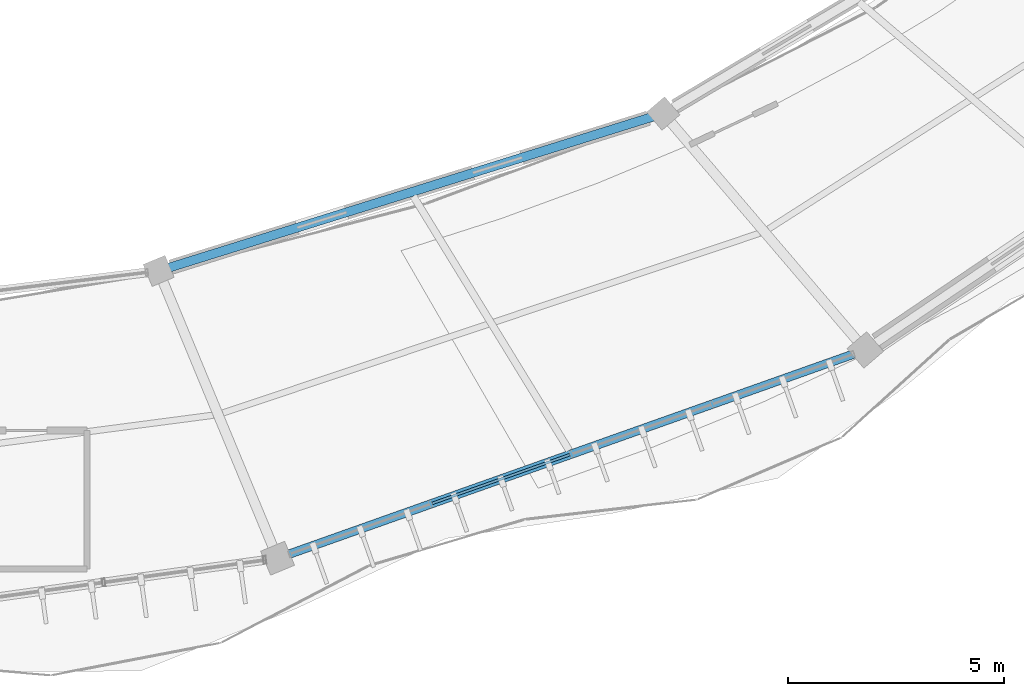
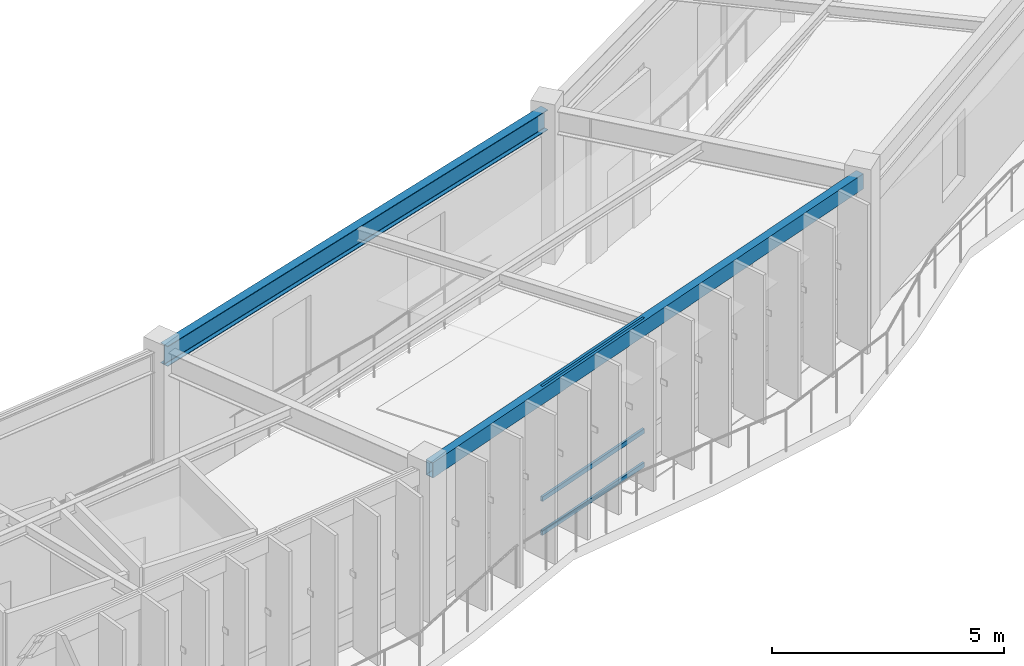
# One storey, part 33 of 83: 3 members, 2 beams, 1 element without a shape of its own.
"""IFC4 building model written with IfcOpenShell, lengths in metres."""

import ifcopenshell
import ifcopenshell.guid

model = None  # the IFC model being written
_history = None  # IfcOwnerHistory: only IFC2X3 demands one
_inside = {}  # id of a spatial element -> (the spatial element, [elements in it])
_under = {}  # id of a project, library or spatial element -> (it, [spatial elements below it])
_declared = {}  # id of a project -> (the project, [libraries it declares])
_typed = {}  # id of a type object -> (the type object, [elements of that type])
_made_of = {}  # id of a material, layer set ... -> (it, [elements and type objects made of it])


def new_model(schema):
    """Start an empty IFC model of exactly this schema.

    Asked for "IFC4X3", IfcOpenShell would pick the latest addendum, in which some entities
    have other attributes; the version numbers below select the first issue.
    IFC2X3 requires an IfcOwnerHistory on every rooted entity: one is made here for all.
    """
    global model, _history
    if schema == "IFC4X3":
        model = ifcopenshell.file(schema_version=(4, 3, 0, 0))
    else:
        model = ifcopenshell.file(schema=schema)
    _inside.clear()
    _under.clear()
    _declared.clear()
    _typed.clear()
    _made_of.clear()
    _history = None
    if model.schema == "IFC2X3":
        org = make("IfcOrganization", Name="unknown")
        user = make(
            "IfcPersonAndOrganization",
            ThePerson=make("IfcPerson", FamilyName="unknown"),
            TheOrganization=org,
        )
        app = make(
            "IfcApplication",
            ApplicationDeveloper=org,
            Version="unknown",
            ApplicationFullName="unknown",
            ApplicationIdentifier="unknown",
        )
        _history = make(
            "IfcOwnerHistory",
            OwningUser=user,
            OwningApplication=app,
            ChangeAction="ADDED",
            CreationDate=0,
        )
    return model


def make(cls, **values):
    """One entity of the class cls with the attributes given. An attribute that is None is left unset."""
    return model.create_entity(
        cls, **{name: value for name, value in values.items() if value is not None}
    )


def rooted(cls, **values):
    """An entity with a GlobalId (a new one), such as an element, a storey or a relation."""
    return make(cls, GlobalId=ifcopenshell.guid.new(), OwnerHistory=_history, **values)


def si_unit(unit_type, name, prefix=None):
    """IfcSIUnit, for example si_unit("LENGTHUNIT", "METRE", prefix="MILLI")."""
    return make("IfcSIUnit", UnitType=unit_type, Prefix=prefix, Name=name)


def assignment(units):
    """IfcUnitAssignment: the units of a project."""
    return None if units is None else make("IfcUnitAssignment", Units=units)


def point(xyz):
    """IfcCartesianPoint."""
    return None if xyz is None else make("IfcCartesianPoint", Coordinates=xyz)


def direction(xyz):
    """IfcDirection."""
    return None if xyz is None else make("IfcDirection", DirectionRatios=xyz)


def frame(location, z_axis=None, x_axis=None):
    """IfcAxis2Placement3D, a coordinate frame: its origin and axes. An axis left out is left unset."""
    return make(
        "IfcAxis2Placement3D",
        Location=point(location),
        Axis=direction(z_axis),
        RefDirection=direction(x_axis),
    )


def frame_2d(location, x_axis=None):
    """IfcAxis2Placement2D, a coordinate frame in the plane: its origin and x axis."""
    return make(
        "IfcAxis2Placement2D", Location=point(location), RefDirection=direction(x_axis)
    )


def origin():
    """The frame at (0, 0, 0) with its axes left unset."""
    return frame((0.0, 0.0, 0.0))


def origin_2d():
    """The frame at (0, 0) in the plane with its x axis left unset."""
    return frame_2d((0.0, 0.0))


def place(relative_to, where):
    """IfcLocalPlacement: puts the frame where relative to a parent placement (None: the world)."""
    return make(
        "IfcLocalPlacement", PlacementRelTo=relative_to, RelativePlacement=where
    )


def context(
    kind, dimensions, precision=None, world=None, true_north=None, identifier=None
):
    """IfcGeometricRepresentationContext, for example the 3D "Model" context."""
    return make(
        "IfcGeometricRepresentationContext",
        ContextIdentifier=identifier,
        ContextType=kind,
        CoordinateSpaceDimension=dimensions,
        Precision=precision,
        WorldCoordinateSystem=world,
        TrueNorth=true_north,
    )


def subcontext(parent, identifier, kind, view, scale=None):
    """IfcGeometricRepresentationSubContext, for example "Body" below "Model"."""
    return make(
        "IfcGeometricRepresentationSubContext",
        ContextIdentifier=identifier,
        ContextType=kind,
        ParentContext=parent,
        TargetScale=scale,
        TargetView=view,
    )


def project(units=None, contexts=None):
    """IfcProject with its units and contexts."""
    return rooted(
        "IfcProject",
        Name="project",
        RepresentationContexts=contexts,
        UnitsInContext=assignment(units),
    )


def spatial(cls, under=None, at=None, **own):
    """A site, building, storey or space (cls), placed at a placement, below another one or the project."""
    s = rooted(cls, ObjectPlacement=at, **own)
    if under is not None:
        _under.setdefault(under.id(), (under, []))[1].append(s)
    return s


def profile(cls, at=None, kind="AREA", **sizes):
    """A parametric profile (cls). Its sizes go by their IFC names, for example OverallWidth=200.0."""
    return make(cls, ProfileType=kind, Position=at, **sizes)


def hollow_rectangle(**sizes):
    """IfcRectangleHollowProfileDef."""
    return profile("IfcRectangleHollowProfileDef", **sizes)


def i_section(**sizes):
    """IfcIShapeProfileDef."""
    return profile("IfcIShapeProfileDef", **sizes)


def extrude(swept, where, along, depth):
    """IfcExtrudedAreaSolid: the profile swept, set in the frame where, extruded along a direction by depth."""
    return make(
        "IfcExtrudedAreaSolid",
        SweptArea=swept,
        Position=where,
        ExtrudedDirection=direction(along),
        Depth=depth,
    )


def shape(context_of_items, identifier, shape_type, items):
    """IfcShapeRepresentation: the items that make up one representation, for example the "Body"."""
    return make(
        "IfcShapeRepresentation",
        ContextOfItems=context_of_items,
        RepresentationIdentifier=identifier,
        RepresentationType=shape_type,
        Items=items,
    )


def material(Name=None, Category=None):
    """IfcMaterial."""
    return make("IfcMaterial", Name=Name, Category=Category)


def material_profile(
    of_material, cross_section, Name=None, Category=None, Priority=None
):
    """IfcMaterialProfile: a cross section and its material."""
    return make(
        "IfcMaterialProfile",
        Name=Name,
        Material=of_material,
        Profile=cross_section,
        Priority=Priority,
        Category=Category,
    )


def profile_set(profiles, Name=None, composite=None):
    """IfcMaterialProfileSet."""
    return make(
        "IfcMaterialProfileSet",
        Name=Name,
        MaterialProfiles=profiles,
        CompositeProfile=composite,
    )


def made_of(thing, what):
    """Note that an element or type object is made of a material, layer set ...; save() writes the relation."""
    if what is not None:
        _made_of.setdefault(what.id(), (what, []))[1].append(thing)
    return thing


def type_object(cls, material=None, **own):
    """A type object (cls), such as IfcWallType, which elements share."""
    return made_of(rooted(cls, **own), material)


def element(
    cls,
    number,
    at=None,
    inside=None,
    cuts=None,
    type_object=None,
    material=None,
    context=None,
    identifier="Body",
    shape_type=None,
    held_by="IfcProductDefinitionShape",
    body=None,
    shapes=None,
    **own,
):
    """One element of the class cls, such as IfcWall. Its Tag is "e" and its number.

    at: its placement. inside: the storey or other place that contains it. cuts: it is an
    opening in that element (IfcRelVoidsElement). A single representation is given by context,
    identifier, shape_type and body (its items); several are given by shapes. held_by: the class
    of the entity that holds the representations. save() writes the other relations.
    """
    e = rooted(cls, Tag="e%d" % number, ObjectPlacement=at, **own)
    if body is not None:
        shapes = [shape(context, identifier, shape_type, body)]
    if shapes is not None:
        e.Representation = make(held_by, Representations=shapes)
    if inside is not None:
        _inside.setdefault(inside.id(), (inside, []))[1].append(e)
    if cuts is not None:
        rooted(
            "IfcRelVoidsElement", RelatingBuildingElement=cuts, RelatedOpeningElement=e
        )
    if type_object is not None:
        _typed.setdefault(type_object.id(), (type_object, []))[1].append(e)
    return made_of(e, material)


def aggregate(whole, parts):
    """IfcRelAggregates: a whole, such as a stair, and the parts it consists of."""
    return rooted("IfcRelAggregates", RelatingObject=whole, RelatedObjects=parts)


def save(model, path):
    """Write the relations noted so far, then the file.

    IfcRelAggregates (storeys below a building ...), IfcRelContainedInSpatialStructure (elements
    in a storey), IfcRelDefinesByType, IfcRelAssociatesMaterial and IfcRelDeclares: one each for
    every whole, place, type object, material and project.
    """
    for whole, parts in _under.values():
        aggregate(whole, parts)
    for where, things in _inside.values():
        rooted(
            "IfcRelContainedInSpatialStructure",
            RelatedElements=things,
            RelatingStructure=where,
        )
    for kind, things in _typed.values():
        rooted("IfcRelDefinesByType", RelatedObjects=things, RelatingType=kind)
    for what, things in _made_of.values():
        rooted("IfcRelAssociatesMaterial", RelatedObjects=things, RelatingMaterial=what)
    for by, libraries in _declared.values():
        rooted("IfcRelDeclares", RelatingContext=by, RelatedDefinitions=libraries)
    model.write(path)


model = new_model("IFC4")

# Units and contexts
model_context = context("Model", 3, precision=1e-05, world=origin(), true_north=direction((0.0, 1.0)))
body_context = subcontext(model_context, "Body", "Model", "MODEL_VIEW")
ifc_project = project(units=[si_unit("LENGTHUNIT", "METRE"), si_unit("AREAUNIT", "SQUARE_METRE"), si_unit("VOLUMEUNIT", "CUBIC_METRE"), si_unit("PLANEANGLEUNIT", "RADIAN"), si_unit("MASSUNIT", "GRAM", prefix="KILO"), si_unit("THERMODYNAMICTEMPERATUREUNIT", "KELVIN"), si_unit("POWERUNIT", "WATT")], contexts=[model_context])

# Site, building, storey
site_placement = place(None, origin())
site = spatial("IfcSite", under=ifc_project, at=site_placement, CompositionType="ELEMENT")
building_placement = place(site_placement, origin())
building = spatial("IfcBuilding", under=site, at=building_placement, Name="Darbajah Civic Hall", CompositionType="ELEMENT")
storey_placement = place(building_placement, frame((0.0, 0.0, 18.0)))
storey = spatial("IfcBuildingStorey", under=building, at=storey_placement, Name="L04", CompositionType="ELEMENT", Elevation=18.0)

# Curtain wall, members
ifc_material_1 = material(Name="Anodised Bronze Aluminium and Low-E Glazing", Category="aluminium")
curtain_wall_type = type_object("IfcCurtainWallType", Name="Unitised Curtain Wall CW-62 13800x3900", PredefinedType="USERDEFINED", material=ifc_material_1)
curtain_wall_placement = place(storey_placement, origin())
curtain_wall = element("IfcCurtainWall", 1, at=curtain_wall_placement, inside=storey, type_object=curtain_wall_type, Name="L04 unitised curtain wall CW-V1O-L04-16", ObjectType="UNITISED CURTAIN WALL", PredefinedType="USERDEFINED")
ifc_material_2 = material(Name="Anodised Bronze Aluminium", Category="aluminium")
ifc_material_profile_1 = material_profile(ifc_material_2, hollow_rectangle(XDim=0.06005859375, YDim=0.1201171875, WallThickness=0.003173828125, at=origin_2d()), Name="ALU TRANSOM 60x120")
ifc_profile_set_1 = profile_set([ifc_material_profile_1], Name="Anodised Bronze Aluminium")
member_type = type_object("IfcMemberType", Name="ALU TRANSOM 60x120", PredefinedType="USERDEFINED", material=ifc_profile_set_1)
member_1_placement = place(storey_placement, frame((112.193359375, 63.813232421875, 0.06005859375), z_axis=(0.942539786443, 0.334093925373, 0.0), x_axis=(-0.334093925373, 0.942539786443, 0.0)))
member_1 = element("IfcMember", 2, at=member_1_placement, type_object=member_type, Name="CW-V1O-L04-16 transom 2.1", ObjectType="TRANSOM", PredefinedType="USERDEFINED", context=body_context, shape_type="SweptSolid", body=[
    extrude(hollow_rectangle(XDim=0.06005859375, YDim=0.1201171875, WallThickness=0.003173828125, at=origin_2d()), origin(), (0.0, 0.0, 1.0), 3.3876953125),
])
member_2_placement = place(storey_placement, frame((112.193359375, 63.813232421875, 0.949951171875), z_axis=(0.942539786443, 0.334093925373, 0.0), x_axis=(-0.334093925373, 0.942539786443, 0.0)))
member_2 = element("IfcMember", 3, at=member_2_placement, type_object=member_type, Name="CW-V1O-L04-16 transom 2.2", ObjectType="TRANSOM", PredefinedType="USERDEFINED", context=body_context, shape_type="SweptSolid", body=[
    extrude(hollow_rectangle(XDim=0.06005859375, YDim=0.1201171875, WallThickness=0.003173828125, at=origin_2d()), origin(), (0.0, 0.0, 1.0), 3.3876953125),
])
member_3_placement = place(storey_placement, frame((112.193359375, 63.813232421875, 3.860107421875), z_axis=(0.942539786443, 0.334093925373, 0.0), x_axis=(-0.334093925373, 0.942539786443, 0.0)))
member_3 = element("IfcMember", 4, at=member_3_placement, type_object=member_type, Name="CW-V1O-L04-16 transom 2.3", ObjectType="TRANSOM", PredefinedType="USERDEFINED", context=body_context, shape_type="SweptSolid", body=[
    extrude(hollow_rectangle(XDim=0.06005859375, YDim=0.1201171875, WallThickness=0.003173828125, at=origin_2d()), origin(), (0.0, 0.0, 1.0), 3.3876953125),
])
aggregate(curtain_wall, [member_1, member_2, member_3])

# Beams
ifc_material_3 = material(Name="Steel S355JR", Category="steel")
ifc_material_profile_2 = material_profile(ifc_material_3, hollow_rectangle(XDim=0.199951171875, YDim=0.39990234375, WallThickness=0.013916015625, at=origin_2d()), Name="RHS 400x200x14")
ifc_profile_set_2 = profile_set([ifc_material_profile_2], Name="Steel S355JR")
beam_type_1 = type_object("IfcBeamType", Name="RHS 400x200x14", PredefinedType="SPANDREL", material=ifc_profile_set_2)
beam_1_placement = place(storey_placement, frame((108.6923828125, 62.572265625, 3.719970703125), z_axis=(0.942537934189, 0.334099150875, 0.0), x_axis=(-0.334099150875, 0.942537934189, 0.0)))
element("IfcBeam", 5, at=beam_1_placement, inside=storey, type_object=beam_type_1, Name="L04 beam SP-RHS400", PredefinedType="SPANDREL", context=body_context, shape_type="SweptSolid", body=[
    extrude(hollow_rectangle(XDim=0.199951171875, YDim=0.39990234375, WallThickness=0.013916015625, at=origin_2d()), origin(), (0.0, 0.0, 1.0), 14.2744140625),
])
ifc_material_profile_3 = material_profile(ifc_material_3, i_section(OverallWidth=0.209228515625, OverallDepth=0.533203125, WebThickness=0.010009765625, FlangeThickness=0.015625, FilletRadius=0.0126953125, at=origin_2d()), Name="UB 533x210x92")
ifc_profile_set_3 = profile_set([ifc_material_profile_3], Name="Steel S355JR")
beam_type_2 = type_object("IfcBeamType", Name="UB 533x210x92", PredefinedType="BEAM", material=ifc_profile_set_3)
beam_2_placement = place(storey_placement, frame((105.93798828125, 69.22119140625, 3.653564453125), z_axis=(0.954614020433, 0.297845718441, 0.0), x_axis=(-0.297845718441, 0.954614020433, 0.0)))
element("IfcBeam", 6, at=beam_2_placement, inside=storey, type_object=beam_type_2, Name="L04 beam SB-533", PredefinedType="BEAM", context=body_context, shape_type="SweptSolid", body=[
    extrude(i_section(OverallWidth=0.209228515625, OverallDepth=0.533203125, WebThickness=0.010009765625, FlangeThickness=0.015625, FilletRadius=0.0126953125, at=origin_2d()), origin(), (0.0, 0.0, 1.0), 12.079833984375),
])

save(model, "model.ifc")
